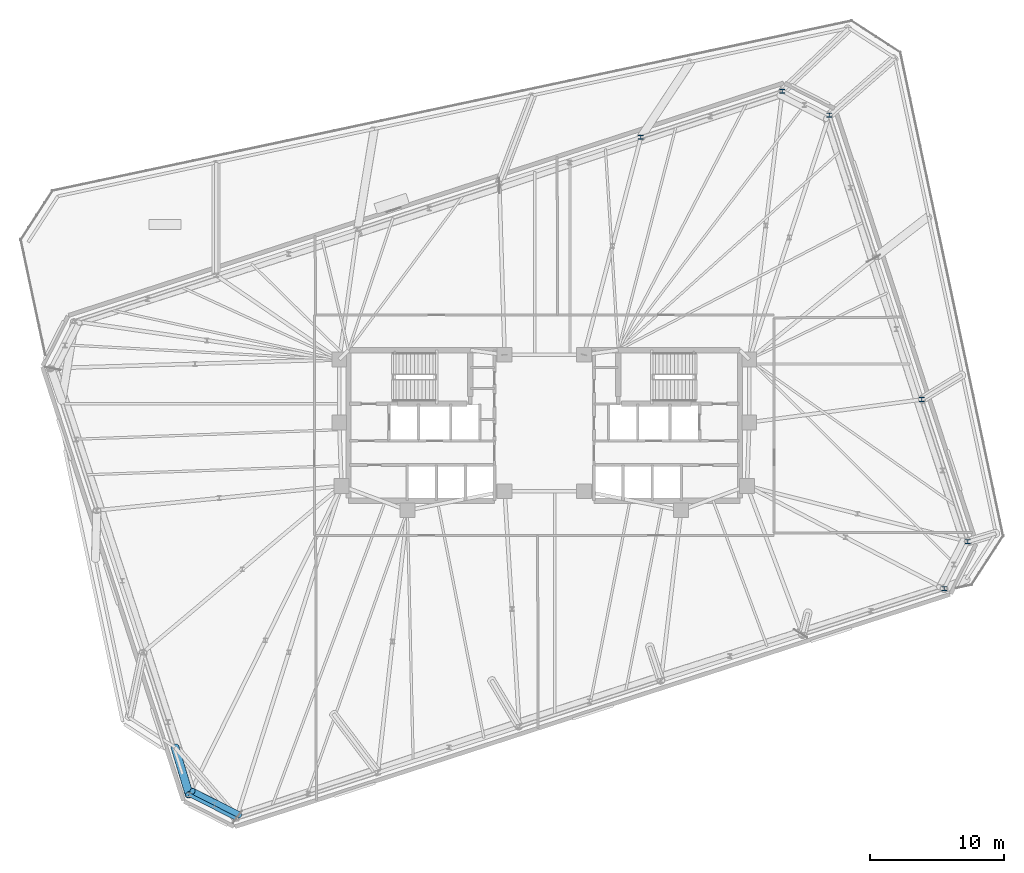
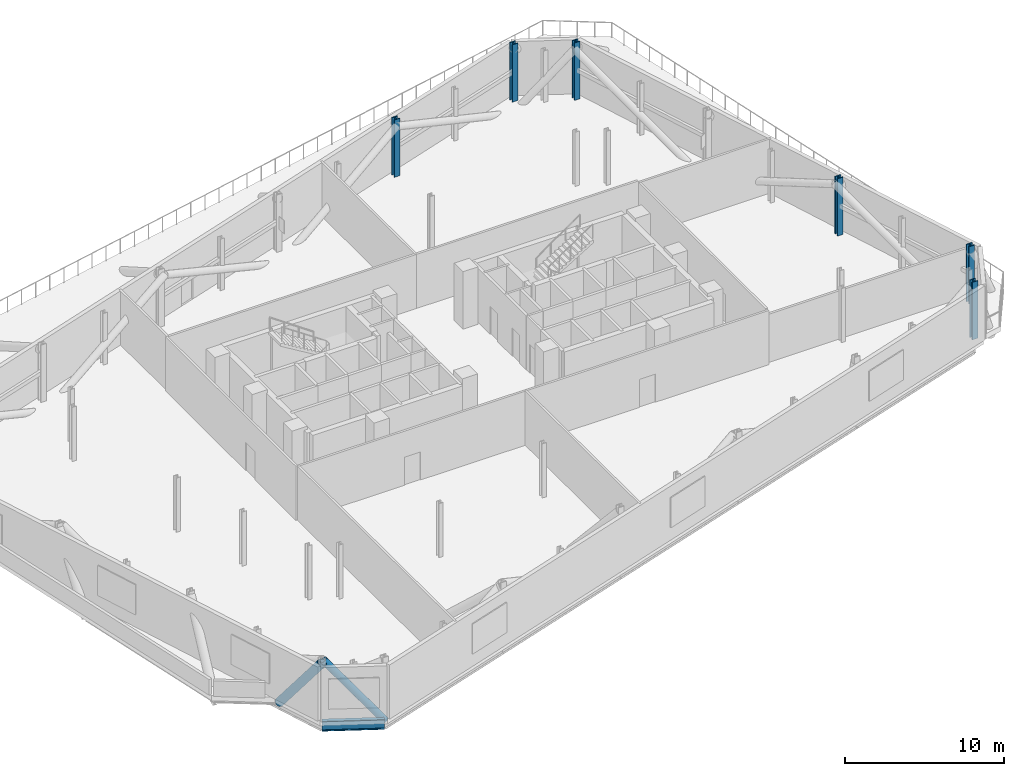
# One storey, part 4 of 16: 6 columns, 2 members, 1 beam.
"""IFC4 building model written with IfcOpenShell, lengths in metres."""

from ifc_helpers import new_model, si_unit, direction, frame, origin, origin_2d, place, context, subcontext, project, spatial, hollow_circle, i_section, extrude, material, material_profile, profile_set, type_object, element, save


model = new_model("IFC4")

# Units and contexts
model_context = context("Model", 3, precision=1e-05, world=origin(), true_north=direction((0.0, 1.0)))
body_context = subcontext(model_context, "Body", "Model", "MODEL_VIEW")
ifc_project = project(units=[si_unit("LENGTHUNIT", "METRE"), si_unit("AREAUNIT", "SQUARE_METRE"), si_unit("VOLUMEUNIT", "CUBIC_METRE"), si_unit("PLANEANGLEUNIT", "RADIAN"), si_unit("MASSUNIT", "GRAM", prefix="KILO")], contexts=[model_context])

# Site, building, storey
site_placement = place(None, origin())
site = spatial("IfcSite", under=ifc_project, at=site_placement, CompositionType="ELEMENT")
building_placement = place(site_placement, origin())
building = spatial("IfcBuilding", under=site, at=building_placement, Name="Menara Jurai Vektor", CompositionType="ELEMENT")
storey_placement = place(building_placement, frame((0.0, 0.0, 202.39990234375)))
storey = spatial("IfcBuildingStorey", under=building, at=storey_placement, Name="L53", CompositionType="ELEMENT", Elevation=202.39990234375)

# Columns
ifc_material = material(Name="Steel S460", Category="steel")
ifc_material_profile_1 = material_profile(ifc_material, i_section(OverallWidth=0.405029296875, OverallDepth=0.35498046875, WebThickness=0.0419921875, FlangeThickness=0.068115234375, FilletRadius=0.014892578125, at=origin_2d()), Name="HD 400x551")
ifc_profile_set_1 = profile_set([ifc_material_profile_1], Name="Steel S460")
column_type = type_object("IfcColumnType", Name="STR-EXO-BLK4", PredefinedType="COLUMN", material=ifc_profile_set_1)
for number, where, z_axis, x_axis, name in (
    (1, (29.733642578125, -12.14501953125, 0.0), (0.0, 0.0, 1.0), (1.0, 0.0, 0.0), "Exoskeleton Column BLK4-S6 L53"),
    (2, (31.513427734375, -8.652099609375, 0.0), (0.0, 0.0, 1.0), (1.0, 0.0, 0.0), "Exoskeleton Column BLK4-E1 L53"),
    (3, (28.07763671875, 1.92236328125, 0.0), (0.0, 0.0, 1.0), (1.0, 0.0, 0.0), "Exoskeleton Column BLK4-E2 L53"),
    (4, (21.2060546875, 23.071044921875, 0.0), (0.0, 0.0, 1.0), (1.0, 0.0, 0.0), "Exoskeleton Column BLK4-E4 L53"),
    (5, (17.712890625, 24.85107421875, 0.0), (0.0, 0.0, 1.0), (1.0, 0.0, 0.0), "Exoskeleton Column BLK4-N1 L53"),
    (6, (7.18359375, 21.4296875, 0.0), (0.0, 0.0, 1.0), (1.0, 0.0, 0.0), "Exoskeleton Column BLK4-N2 L53"),
):
    element("IfcColumn", number, at=place(storey_placement, frame(where, z_axis=z_axis, x_axis=x_axis)), inside=storey, type_object=column_type, Name=name, PredefinedType="COLUMN", context=body_context, shape_type="SweptSolid", body=[
        extrude(i_section(OverallWidth=0.405029296875, OverallDepth=0.35498046875, WebThickness=0.0419921875, FlangeThickness=0.068115234375, FilletRadius=0.014892578125, at=origin_2d()), origin(), (0.0, 0.0, 1.0), 4.400146484375),
    ])

# Beam
ifc_material_profile_2 = material_profile(ifc_material, i_section(OverallWidth=0.26806640625, OverallDepth=0.77001953125, WebThickness=0.01611328125, FlangeThickness=0.02490234375, FilletRadius=0.01708984375, at=origin_2d()), Name="UKB 762x267x197")
ifc_profile_set_2 = profile_set([ifc_material_profile_2], Name="Steel S460")
beam_type = type_object("IfcBeamType", Name="STR-BM-TR762", PredefinedType="BEAM", material=ifc_profile_set_2)
beam_placement = place(storey_placement, frame((-26.406005859375, -27.47119140625, -0.789794921875), z_axis=(0.891013832566, -0.453976155955, 0.0), x_axis=(0.453976155955, 0.891013832566, 0.0)))
element("IfcBeam", 7, at=beam_placement, inside=storey, type_object=beam_type, Name="Belt Truss Bottom Chord L53-20", PredefinedType="BEAM", context=body_context, shape_type="SweptSolid", body=[
    extrude(i_section(OverallWidth=0.26806640625, OverallDepth=0.77001953125, WebThickness=0.01611328125, FlangeThickness=0.02490234375, FilletRadius=0.01708984375, at=origin_2d()), origin(), (0.0, 0.0, 1.0), 3.92041015625),
])

# Members
ifc_material_profile_3 = material_profile(ifc_material, hollow_circle(Radius=0.25390625, WallThickness=0.02001953125, at=origin_2d()), Name="CHS 508x20")
ifc_profile_set_3 = profile_set([ifc_material_profile_3], Name="Steel S460")
member_type_1 = type_object("IfcMemberType", Name="STR-BR-508", PredefinedType="BRACE", material=ifc_profile_set_3)
member_1_placement = place(storey_placement, frame((-22.70849609375, -28.97900390625, -0.789794921875), z_axis=(-0.562359487095, 0.284944659071, 0.776246319502), x_axis=(-0.451984801803, -0.89202563805, 0.0)))
element("IfcMember", 8, at=member_1_placement, inside=storey, type_object=member_type_1, Name="Belt Truss Web Diagonal L53-20", PredefinedType="BRACE", context=body_context, shape_type="SweptSolid", body=[
    extrude(hollow_circle(Radius=0.25390625, WallThickness=0.02001953125, at=origin_2d()), origin(), (0.0, 0.0, 1.0), 6.160400390625),
])
ifc_material_profile_4 = material_profile(ifc_material, hollow_circle(Radius=0.304931640625, WallThickness=0.02490234375, at=origin_2d()), Name="CHS 610x25")
ifc_profile_set_4 = profile_set([ifc_material_profile_4], Name="Steel S460")
member_type_2 = type_object("IfcMemberType", Name="STR-ST-610", PredefinedType="STRUT", material=ifc_profile_set_4)
member_2_placement = place(storey_placement, frame((-27.46484375, -23.94580078125, -0.789794921875), z_axis=(0.175460010354, -0.584192425527, 0.792422232603), x_axis=(0.957734963778, 0.287652114813, 0.0)))
element("IfcMember", 9, at=member_2_placement, inside=storey, type_object=member_type_2, Name="Transfer Outrigger Strut L53-W4", PredefinedType="STRUT", context=body_context, shape_type="SweptSolid", body=[
    extrude(hollow_circle(Radius=0.304931640625, WallThickness=0.02490234375, at=origin_2d()), origin(), (0.0, 0.0, 1.0), 6.03466796875),
])

save(model, "model.ifc")
